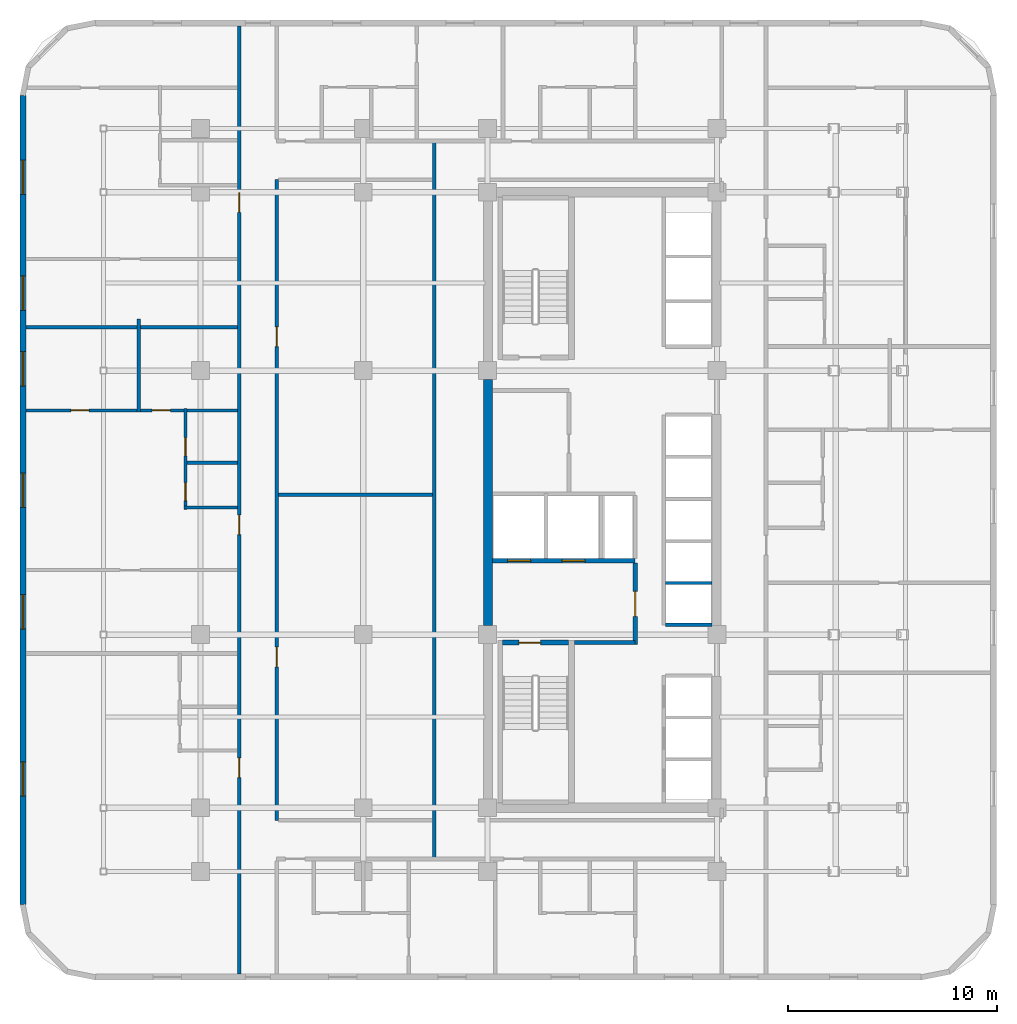
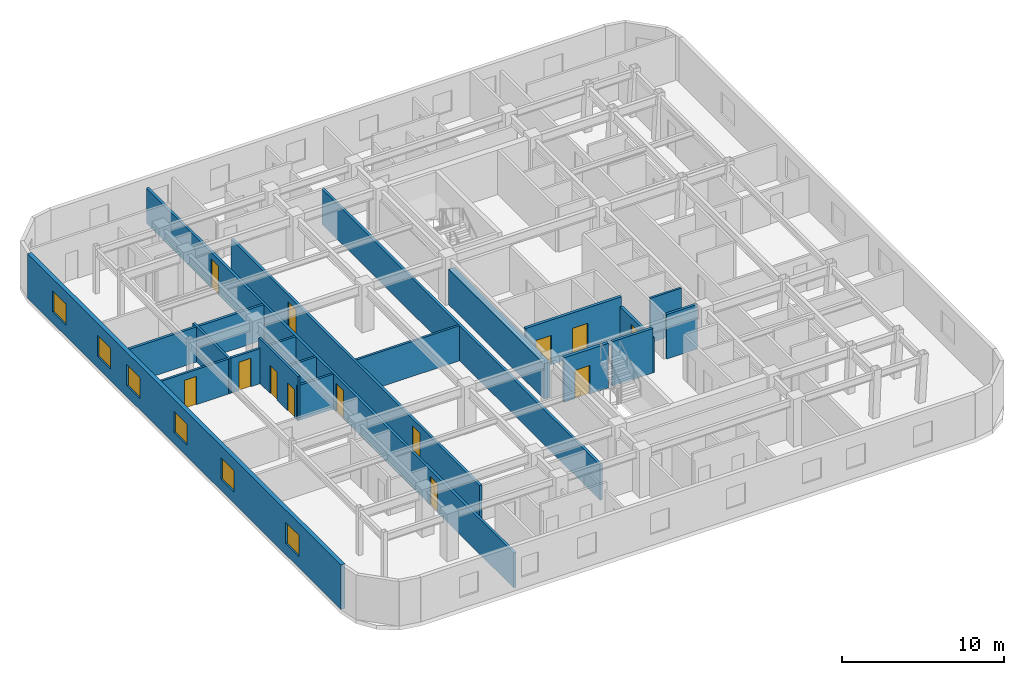
# One storey, part 7 of 12: 18 walls, 13 doors, 6 windows, 19 openings.
"""IFC4 building model written with IfcOpenShell, lengths in metres."""

from ifc_helpers import new_model, si_unit, direction, frame, frame_2d, origin, place, context, subcontext, project, spatial, rectangle, extrude, material, layer, layer_set, type_object, element, fill, save


model = new_model("IFC4")

# Units and contexts
model_context = context("Model", 3, precision=1e-05, world=origin(), true_north=direction((0.0, 1.0)))
body_context = subcontext(model_context, "Body", "Model", "MODEL_VIEW")
ifc_project = project(units=[si_unit("LENGTHUNIT", "METRE"), si_unit("AREAUNIT", "SQUARE_METRE"), si_unit("VOLUMEUNIT", "CUBIC_METRE"), si_unit("PLANEANGLEUNIT", "RADIAN"), si_unit("MASSUNIT", "GRAM", prefix="KILO")], contexts=[model_context])

# Site, building, storey
site_placement = place(None, origin())
site = spatial("IfcSite", under=ifc_project, at=site_placement, CompositionType="ELEMENT")
building_placement = place(site_placement, origin())
building = spatial("IfcBuilding", under=site, at=building_placement, Name="Ochreholt Gables", CompositionType="ELEMENT")
storey_placement = place(building_placement, frame((0.0, 0.0, 24.0)))
storey = spatial("IfcBuildingStorey", under=building, at=storey_placement, Name="L05", CompositionType="ELEMENT", Elevation=24.0)

# Wall
ifc_material_1 = material(Name="Concrete 60 MPa", Category="concrete")
ifc_layer_1 = layer(ifc_material_1, 0.449951171875, Name="Concrete 60 MPa")
ifc_layer_set_1 = layer_set([ifc_layer_1], Name="Concrete 60 MPa")
wall_type_1 = type_object("IfcWallType", Name="WALL-CSW-450", PredefinedType="SHEAR", material=ifc_layer_set_1)
wall_1_placement = place(storey_placement, frame((24.22509765625, 17.97509765625, 0.0), z_axis=(0.0, 0.0, 1.0), x_axis=(0.0, 1.0, 0.0)))
element("IfcWall", 1, at=wall_1_placement, inside=storey, type_object=wall_type_1, Name="L05 Core West Shear Wall WM", PredefinedType="SHEAR", context=body_context, shape_type="SweptSolid", body=[
    extrude(rectangle(XDim=11.7998046875, YDim=0.449951171875, at=frame_2d((5.89990234375, 0.0))), origin(), (0.0, 0.0, 1.0), 2.6669921875),
])

# Wall, openings, windows
ifc_material_2 = material(Name="Precast concrete 40 MPa", Category="concrete")
ifc_layer_2 = layer(ifc_material_2, 0.2900390625, Name="Precast concrete 40 MPa")
ifc_layer_set_2 = layer_set([ifc_layer_2], Name="Precast concrete 40 MPa")
wall_type_2 = type_object("IfcWallType", Name="WALL-EXT-290", PredefinedType="SOLIDWALL", material=ifc_layer_set_2)
wall_2_placement = place(storey_placement, frame((1.945068359375, 43.3798828125, 0.0), z_axis=(0.0, 0.0, 1.0), x_axis=(0.0, -1.0, 0.0)))
wall_2 = element("IfcWall", 2, at=wall_2_placement, inside=storey, type_object=wall_type_2, Name="L05 West Exterior Wall", PredefinedType="SOLIDWALL", context=body_context, shape_type="SweptSolid", body=[
    extrude(rectangle(XDim=38.759765625, YDim=0.2900390625, at=frame_2d((19.3798828125, 0.0))), origin(), (0.0, 0.0, 1.0), 3.360107421875),
])
opening_1_placement = place(wall_2_placement, frame((31.925048828125, 0.0, 0.85009765625)))
opening_1 = element("IfcOpeningElement", 3, at=opening_1_placement, cuts=wall_2, Name="Opening WN-7", PredefinedType="OPENING", context=body_context, shape_type="SweptSolid", body=[
    extrude(rectangle(XDim=1.64990234375, YDim=1.60009765625, at=frame_2d((0.824951171875, 0.800048828125))), frame((0.0, 0.155029296875, 0.0), z_axis=(0.0, -1.0, 0.0), x_axis=(1.0, 0.0, 0.0)), (0.0, 0.0, 1.0), 0.31005859375),
])
opening_2_placement = place(wall_2_placement, frame((23.913330078125, 0.0, 0.85009765625)))
opening_2 = element("IfcOpeningElement", 4, at=opening_2_placement, cuts=wall_2, Name="Opening WN-7", PredefinedType="OPENING", context=body_context, shape_type="SweptSolid", body=[
    extrude(rectangle(XDim=1.64990234375, YDim=1.60009765625, at=frame_2d((0.824951171875, 0.800048828125))), frame((0.0, 0.155029296875, 0.0), z_axis=(0.0, -1.0, 0.0), x_axis=(1.0, 0.0, 0.0)), (0.0, 0.0, 1.0), 0.31005859375),
])
opening_3_placement = place(wall_2_placement, frame((18.08837890625, 0.0, 0.85009765625)))
opening_3 = element("IfcOpeningElement", 5, at=opening_3_placement, cuts=wall_2, Name="Opening WN-7", PredefinedType="OPENING", context=body_context, shape_type="SweptSolid", body=[
    extrude(rectangle(XDim=1.64990234375, YDim=1.60009765625, at=frame_2d((0.824951171875, 0.800048828125))), frame((0.0, 0.155029296875, 0.0), z_axis=(0.0, -1.0, 0.0), x_axis=(1.0, 0.0, 0.0)), (0.0, 0.0, 1.0), 0.31005859375),
])
opening_4_placement = place(wall_2_placement, frame((12.27001953125, 0.0, 0.85009765625)))
opening_4 = element("IfcOpeningElement", 6, at=opening_4_placement, cuts=wall_2, Name="Opening WN-7", PredefinedType="OPENING", context=body_context, shape_type="SweptSolid", body=[
    extrude(rectangle(XDim=1.64990234375, YDim=1.60009765625, at=frame_2d((0.824951171875, 0.800048828125))), frame((0.0, 0.155029296875, 0.0), z_axis=(0.0, -1.0, 0.0), x_axis=(1.0, 0.0, 0.0)), (0.0, 0.0, 1.0), 0.31005859375),
])
opening_5_placement = place(wall_2_placement, frame((8.639892578125, 0.0, 0.85009765625)))
opening_5 = element("IfcOpeningElement", 7, at=opening_5_placement, cuts=wall_2, Name="Opening WN-7", PredefinedType="OPENING", context=body_context, shape_type="SweptSolid", body=[
    extrude(rectangle(XDim=1.64990234375, YDim=1.60009765625, at=frame_2d((0.824951171875, 0.800048828125))), frame((0.0, 0.155029296875, 0.0), z_axis=(0.0, -1.0, 0.0), x_axis=(1.0, 0.0, 0.0)), (0.0, 0.0, 1.0), 0.31005859375),
])
opening_6_placement = place(wall_2_placement, frame((3.090087890625, 0.0, 0.85009765625)))
opening_6 = element("IfcOpeningElement", 8, at=opening_6_placement, cuts=wall_2, Name="Opening WN-7", PredefinedType="OPENING", context=body_context, shape_type="SweptSolid", body=[
    extrude(rectangle(XDim=1.64990234375, YDim=1.60009765625, at=frame_2d((0.824951171875, 0.800048828125))), frame((0.0, 0.155029296875, 0.0), z_axis=(0.0, -1.0, 0.0), x_axis=(1.0, 0.0, 0.0)), (0.0, 0.0, 1.0), 0.31005859375),
])
ifc_material_3 = material(Name="Triple-Glazed Thermally Broken Aluminium Window", Category="aluminium")
window_type = type_object("IfcWindowType", Name="WIN-RES-1650", PartitioningType="SINGLE_PANEL", PredefinedType="WINDOW", material=ifc_material_3)
window_1_placement = place(opening_1_placement, origin())
window_1 = element("IfcWindow", 9, at=window_1_placement, inside=storey, type_object=window_type, Name="L05 Window W-EXT-W-L05-1", OverallHeight=1.60009765625, OverallWidth=1.64990234375, PartitioningType="SINGLE_PANEL", PredefinedType="WINDOW", context=body_context, shape_type="SweptSolid", body=[
    extrude(rectangle(XDim=1.64990234375, YDim=1.60009765625, at=frame_2d((0.824951171875, 0.800048828125))), frame((0.0, 0.030029296875, 0.0), z_axis=(0.0, -1.0, 0.0), x_axis=(1.0, 0.0, 0.0)), (0.0, 0.0, 1.0), 0.06005859375),
])
fill(opening_1, window_1)
window_2_placement = place(opening_2_placement, origin())
window_2 = element("IfcWindow", 10, at=window_2_placement, inside=storey, type_object=window_type, Name="L05 Window W-EXT-W-L05-2", OverallHeight=1.60009765625, OverallWidth=1.64990234375, PartitioningType="SINGLE_PANEL", PredefinedType="WINDOW", context=body_context, shape_type="SweptSolid", body=[
    extrude(rectangle(XDim=1.64990234375, YDim=1.60009765625, at=frame_2d((0.824951171875, 0.800048828125))), frame((0.0, 0.030029296875, 0.0), z_axis=(0.0, -1.0, 0.0), x_axis=(1.0, 0.0, 0.0)), (0.0, 0.0, 1.0), 0.06005859375),
])
fill(opening_2, window_2)
window_3_placement = place(opening_3_placement, origin())
window_3 = element("IfcWindow", 11, at=window_3_placement, inside=storey, type_object=window_type, Name="L05 Window W-EXT-W-L05-3", OverallHeight=1.60009765625, OverallWidth=1.64990234375, PartitioningType="SINGLE_PANEL", PredefinedType="WINDOW", context=body_context, shape_type="SweptSolid", body=[
    extrude(rectangle(XDim=1.64990234375, YDim=1.60009765625, at=frame_2d((0.824951171875, 0.800048828125))), frame((0.0, 0.030029296875, 0.0), z_axis=(0.0, -1.0, 0.0), x_axis=(1.0, 0.0, 0.0)), (0.0, 0.0, 1.0), 0.06005859375),
])
fill(opening_3, window_3)
window_4_placement = place(opening_4_placement, origin())
window_4 = element("IfcWindow", 12, at=window_4_placement, inside=storey, type_object=window_type, Name="L05 Window W-EXT-W-L05-4", OverallHeight=1.60009765625, OverallWidth=1.64990234375, PartitioningType="SINGLE_PANEL", PredefinedType="WINDOW", context=body_context, shape_type="SweptSolid", body=[
    extrude(rectangle(XDim=1.64990234375, YDim=1.60009765625, at=frame_2d((0.824951171875, 0.800048828125))), frame((0.0, 0.030029296875, 0.0), z_axis=(0.0, -1.0, 0.0), x_axis=(1.0, 0.0, 0.0)), (0.0, 0.0, 1.0), 0.06005859375),
])
fill(opening_4, window_4)
window_5_placement = place(opening_5_placement, origin())
window_5 = element("IfcWindow", 13, at=window_5_placement, inside=storey, type_object=window_type, Name="L05 Window W-EXT-W-L05-5", OverallHeight=1.60009765625, OverallWidth=1.64990234375, PartitioningType="SINGLE_PANEL", PredefinedType="WINDOW", context=body_context, shape_type="SweptSolid", body=[
    extrude(rectangle(XDim=1.64990234375, YDim=1.60009765625, at=frame_2d((0.824951171875, 0.800048828125))), frame((0.0, 0.030029296875, 0.0), z_axis=(0.0, -1.0, 0.0), x_axis=(1.0, 0.0, 0.0)), (0.0, 0.0, 1.0), 0.06005859375),
])
fill(opening_5, window_5)
window_6_placement = place(opening_6_placement, origin())
window_6 = element("IfcWindow", 14, at=window_6_placement, inside=storey, type_object=window_type, Name="L05 Window W-EXT-W-L05-6", OverallHeight=1.60009765625, OverallWidth=1.64990234375, PartitioningType="SINGLE_PANEL", PredefinedType="WINDOW", context=body_context, shape_type="SweptSolid", body=[
    extrude(rectangle(XDim=1.64990234375, YDim=1.60009765625, at=frame_2d((0.824951171875, 0.800048828125))), frame((0.0, 0.030029296875, 0.0), z_axis=(0.0, -1.0, 0.0), x_axis=(1.0, 0.0, 0.0)), (0.0, 0.0, 1.0), 0.06005859375),
])
fill(opening_6, window_6)

# Wall, openings, doors
ifc_material_4 = material(Name="Concrete 40 MPa", Category="concrete")
ifc_layer_3 = layer(ifc_material_4, 0.199951171875, Name="Concrete 40 MPa")
ifc_layer_set_3 = layer_set([ifc_layer_3], Name="Concrete 40 MPa")
wall_type_3 = type_object("IfcWallType", Name="WALL-INT-CF200", PredefinedType="STANDARD", material=ifc_layer_set_3)
wall_3_placement = place(storey_placement, frame((24.449951171875, 21.090087890625, 0.0), z_axis=(0.0, 0.0, 1.0), x_axis=(1.0, 0.0, 0.0)))
wall_3 = element("IfcWall", 15, at=wall_3_placement, inside=storey, type_object=wall_type_3, Name="L05 Interior Wall WI-FFN-L05", PredefinedType="STANDARD", context=body_context, shape_type="SweptSolid", body=[
    extrude(rectangle(XDim=6.830078125, YDim=0.199951171875, at=frame_2d((3.4150390625, 0.0))), origin(), (0.0, 0.0, 1.0), 3.360107421875),
])
opening_7_placement = place(wall_3_placement, frame((0.719970703125, 0.0, 0.0)))
opening_7 = element("IfcOpeningElement", 16, at=opening_7_placement, cuts=wall_3, Name="Opening LD-FF", PredefinedType="OPENING", context=body_context, shape_type="SweptSolid", body=[
    extrude(rectangle(XDim=1.10009765625, YDim=2.199951171875, at=frame_2d((0.550048828125, 1.10009765625))), frame((0.0, 0.10986328125, 0.0), z_axis=(0.0, -1.0, 0.0), x_axis=(1.0, 0.0, 0.0)), (0.0, 0.0, 1.0), 0.219970703125),
])
opening_8_placement = place(wall_3_placement, frame((3.320068359375, 0.0, 0.0)))
opening_8 = element("IfcOpeningElement", 17, at=opening_8_placement, cuts=wall_3, Name="Opening LD-FF", PredefinedType="OPENING", context=body_context, shape_type="SweptSolid", body=[
    extrude(rectangle(XDim=1.10009765625, YDim=2.199951171875, at=frame_2d((0.550048828125, 1.10009765625))), frame((0.0, 0.10986328125, 0.0), z_axis=(0.0, -1.0, 0.0), x_axis=(1.0, 0.0, 0.0)), (0.0, 0.0, 1.0), 0.219970703125),
])
ifc_material_5 = material(Name="Stainless Steel", Category="steel")
door_type_1 = type_object("IfcDoorType", Name="DR-LFT-FF1100", OperationType="NOTDEFINED", PredefinedType="DOOR", material=ifc_material_5)
door_1_placement = place(opening_7_placement, origin())
door_1 = element("IfcDoor", 18, at=door_1_placement, inside=storey, type_object=door_type_1, Name="L05 Door LD-FF1-L05", OperationType="SLIDING_TO_LEFT", OverallHeight=2.199951171875, OverallWidth=1.10009765625, PredefinedType="DOOR", context=body_context, shape_type="SweptSolid", body=[
    extrude(rectangle(XDim=1.10009765625, YDim=2.199951171875, at=frame_2d((0.550048828125, 1.10009765625))), frame((0.0, 0.02490234375, 0.0), z_axis=(0.0, -1.0, 0.0), x_axis=(1.0, 0.0, 0.0)), (0.0, 0.0, 1.0), 0.050048828125),
])
fill(opening_7, door_1)
door_2_placement = place(opening_8_placement, origin())
door_2 = element("IfcDoor", 19, at=door_2_placement, inside=storey, type_object=door_type_1, Name="L05 Door LD-FF2-L05", OperationType="SLIDING_TO_LEFT", OverallHeight=2.199951171875, OverallWidth=1.10009765625, PredefinedType="DOOR", context=body_context, shape_type="SweptSolid", body=[
    extrude(rectangle(XDim=1.10009765625, YDim=2.199951171875, at=frame_2d((0.550048828125, 1.10009765625))), frame((0.0, 0.02490234375, 0.0), z_axis=(0.0, -1.0, 0.0), x_axis=(1.0, 0.0, 0.0)), (0.0, 0.0, 1.0), 0.050048828125),
])
fill(opening_8, door_2)

# Wall
wall_4_placement = place(storey_placement, frame((28.3798828125, 17.169921875, 0.0), z_axis=(0.0, 0.0, 1.0), x_axis=(1.0, 0.0, 0.0)))
element("IfcWall", 20, at=wall_4_placement, inside=storey, type_object=wall_type_3, Name="L05 Interior Wall WI-FFS-L05", PredefinedType="STANDARD", context=body_context, shape_type="SweptSolid", body=[
    extrude(rectangle(XDim=2.900146484375, YDim=0.199951171875, at=frame_2d((1.4501953125, 0.0))), origin(), (0.0, 0.0, 1.0), 3.360107421875),
])

# Wall, opening, door
wall_5_placement = place(storey_placement, frame((31.280029296875, 17.070068359375, 0.0), z_axis=(0.0, 0.0, 1.0), x_axis=(0.0, 1.0, 0.0)))
wall_5 = element("IfcWall", 21, at=wall_5_placement, inside=storey, type_object=wall_type_3, Name="L05 Interior Wall WI-FFE-L05", PredefinedType="STANDARD", context=body_context, shape_type="SweptSolid", body=[
    extrude(rectangle(XDim=3.919921875, YDim=0.199951171875, at=frame_2d((1.9599609375, 0.0))), origin(), (0.0, 0.0, 1.0), 2.64892578125),
])
opening_9_placement = place(wall_5_placement, frame((1.35009765625, 0.0, 0.0)))
opening_9 = element("IfcOpeningElement", 22, at=opening_9_placement, cuts=wall_5, Name="Opening D-FFL", PredefinedType="OPENING", context=body_context, shape_type="SweptSolid", body=[
    extrude(rectangle(XDim=1.199951171875, YDim=2.14990234375, at=frame_2d((0.60009765625, 1.074951171875))), frame((0.0, 0.10986328125, 0.0), z_axis=(0.0, -1.0, 0.0), x_axis=(1.0, 0.0, 0.0)), (0.0, 0.0, 1.0), 0.219970703125),
])
ifc_material_6 = material(Name="Hollow Metal Steel", Category="steel")
door_type_2 = type_object("IfcDoorType", Name="DR-INT-FFL1200", OperationType="NOTDEFINED", PredefinedType="DOOR", material=ifc_material_6)
door_3_placement = place(opening_9_placement, origin())
door_3 = element("IfcDoor", 23, at=door_3_placement, inside=storey, type_object=door_type_2, Name="L05 Door D-FFL-L05", OperationType="SINGLE_SWING_LEFT", OverallHeight=2.14990234375, OverallWidth=1.199951171875, PredefinedType="DOOR", context=body_context, shape_type="SweptSolid", body=[
    extrude(rectangle(XDim=1.199951171875, YDim=2.14990234375, at=frame_2d((0.60009765625, 1.074951171875))), frame((0.0, 0.02490234375, 0.0), z_axis=(0.0, -1.0, 0.0), x_axis=(1.0, 0.0, 0.0)), (0.0, 0.0, 1.0), 0.050048828125),
])
fill(opening_9, door_3)

# Wall
ifc_material_7 = material(Name="Fire-Rated Gypsum Acoustic Partition", Category="gypsum")
ifc_layer_4 = layer(ifc_material_7, 0.179931640625, Name="Fire-Rated Gypsum Acoustic Partition")
ifc_layer_set_4 = layer_set([ifc_layer_4], Name="Fire-Rated Gypsum Acoustic Partition")
wall_type_4 = type_object("IfcWallType", Name="WALL-INT-CR180", PredefinedType="STANDARD", material=ifc_layer_set_4)
wall_6_placement = place(storey_placement, frame((21.64990234375, 6.800048828125, 0.0), z_axis=(0.0, 0.0, 1.0), x_axis=(0.0, 1.0, 0.0)))
element("IfcWall", 24, at=wall_6_placement, inside=storey, type_object=wall_type_4, Name="L05 Interior Wall WI-C1W-L05", PredefinedType="STANDARD", context=body_context, shape_type="SweptSolid", body=[
    extrude(rectangle(XDim=34.39990234375, YDim=0.179931640625, at=frame_2d((17.199951171875, 0.0))), origin(), (0.0, 0.0, 1.0), 2.64892578125),
])

# Wall, openings, doors
wall_7_placement = place(storey_placement, frame((12.300048828125, 1.2900390625, 0.0), z_axis=(0.0, 0.0, 1.0), x_axis=(0.0, 1.0, 0.0)))
wall_7 = element("IfcWall", 25, at=wall_7_placement, inside=storey, type_object=wall_type_4, Name="L05 Interior Wall WI-C1WW-L05", PredefinedType="STANDARD", context=body_context, shape_type="SweptSolid", body=[
    extrude(rectangle(XDim=45.419921875, YDim=0.179931640625, at=frame_2d((22.7099609375, 0.0))), origin(), (0.0, 0.0, 1.0), 2.64892578125),
])
opening_10_placement = place(wall_7_placement, frame((9.409912109375, 0.0, 0.0)))
opening_10 = element("IfcOpeningElement", 26, at=opening_10_placement, cuts=wall_7, Name="Opening D-UN2", PredefinedType="OPENING", context=body_context, shape_type="SweptSolid", body=[
    extrude(rectangle(XDim=0.93994140625, YDim=2.14990234375, at=frame_2d((0.469970703125, 1.074951171875))), frame((0.0, 0.099853515625, 0.0), z_axis=(0.0, -1.0, 0.0), x_axis=(1.0, 0.0, 0.0)), (0.0, 0.0, 1.0), 0.199951171875),
])
opening_11_placement = place(wall_7_placement, frame((21.050048828125, 0.0, 0.0)))
opening_11 = element("IfcOpeningElement", 27, at=opening_11_placement, cuts=wall_7, Name="Opening D-UN2", PredefinedType="OPENING", context=body_context, shape_type="SweptSolid", body=[
    extrude(rectangle(XDim=0.93994140625, YDim=2.14990234375, at=frame_2d((0.469970703125, 1.074951171875))), frame((0.0, 0.099853515625, 0.0), z_axis=(0.0, -1.0, 0.0), x_axis=(1.0, 0.0, 0.0)), (0.0, 0.0, 1.0), 0.199951171875),
])
opening_12_placement = place(wall_7_placement, frame((36.491455078125, 0.0, 0.0)))
opening_12 = element("IfcOpeningElement", 28, at=opening_12_placement, cuts=wall_7, Name="Opening D-UN2", PredefinedType="OPENING", context=body_context, shape_type="SweptSolid", body=[
    extrude(rectangle(XDim=0.93994140625, YDim=2.14990234375, at=frame_2d((0.469970703125, 1.074951171875))), frame((0.0, 0.099853515625, 0.0), z_axis=(0.0, -1.0, 0.0), x_axis=(1.0, 0.0, 0.0)), (0.0, 0.0, 1.0), 0.199951171875),
])
ifc_material_8 = material(Name="Engineered Oak Timber", Category="wood")
door_type_3 = type_object("IfcDoorType", Name="DR-INT-UNT940", OperationType="NOTDEFINED", PredefinedType="DOOR", material=ifc_material_8)
door_4_placement = place(opening_10_placement, origin())
door_4 = element("IfcDoor", 29, at=door_4_placement, inside=storey, type_object=door_type_3, Name="L05 Door D-U-L05W1-ENT", OperationType="SINGLE_SWING_LEFT", OverallHeight=2.14990234375, OverallWidth=0.93994140625, PredefinedType="DOOR", context=body_context, shape_type="SweptSolid", body=[
    extrude(rectangle(XDim=0.93994140625, YDim=2.14990234375, at=frame_2d((0.469970703125, 1.074951171875))), frame((0.0, 0.02490234375, 0.0), z_axis=(0.0, -1.0, 0.0), x_axis=(1.0, 0.0, 0.0)), (0.0, 0.0, 1.0), 0.050048828125),
])
fill(opening_10, door_4)
door_5_placement = place(opening_11_placement, origin())
door_5 = element("IfcDoor", 30, at=door_5_placement, inside=storey, type_object=door_type_3, Name="L05 Door D-U-L05W2-ENT", OperationType="SINGLE_SWING_RIGHT", OverallHeight=2.14990234375, OverallWidth=0.93994140625, PredefinedType="DOOR", context=body_context, shape_type="SweptSolid", body=[
    extrude(rectangle(XDim=0.93994140625, YDim=2.14990234375, at=frame_2d((0.469970703125, 1.074951171875))), frame((0.0, 0.02490234375, 0.0), z_axis=(0.0, -1.0, 0.0), x_axis=(1.0, 0.0, 0.0)), (0.0, 0.0, 1.0), 0.050048828125),
])
fill(opening_11, door_5)
door_6_placement = place(opening_12_placement, origin())
door_6 = element("IfcDoor", 31, at=door_6_placement, inside=storey, type_object=door_type_3, Name="L05 Door D-U-L05W3-ENT", OperationType="SINGLE_SWING_LEFT", OverallHeight=2.14990234375, OverallWidth=0.93994140625, PredefinedType="DOOR", context=body_context, shape_type="SweptSolid", body=[
    extrude(rectangle(XDim=0.93994140625, YDim=2.14990234375, at=frame_2d((0.469970703125, 1.074951171875))), frame((0.0, 0.02490234375, 0.0), z_axis=(0.0, -1.0, 0.0), x_axis=(1.0, 0.0, 0.0)), (0.0, 0.0, 1.0), 0.050048828125),
])
fill(opening_12, door_6)

wall_8_placement = place(storey_placement, frame((14.10009765625, 8.64990234375, 0.0), z_axis=(0.0, 0.0, 1.0), x_axis=(0.0, 1.0, 0.0)))
wall_8 = element("IfcWall", 32, at=wall_8_placement, inside=storey, type_object=wall_type_4, Name="L05 Interior Wall WI-C1WE-L05", PredefinedType="STANDARD", context=body_context, shape_type="SweptSolid", body=[
    extrude(rectangle(XDim=30.7001953125, YDim=0.179931640625, at=frame_2d((15.35009765625, 0.0))), origin(), (0.0, 0.0, 1.0), 2.64892578125),
])
opening_13_placement = place(wall_8_placement, frame((7.35009765625, 0.0, 0.0)))
opening_13 = element("IfcOpeningElement", 33, at=opening_13_placement, cuts=wall_8, Name="Opening D-GN1", PredefinedType="OPENING", context=body_context, shape_type="SweptSolid", body=[
    extrude(rectangle(XDim=0.949951171875, YDim=2.14990234375, at=frame_2d((0.47509765625, 1.074951171875))), frame((0.0, 0.099853515625, 0.0), z_axis=(0.0, -1.0, 0.0), x_axis=(1.0, 0.0, 0.0)), (0.0, 0.0, 1.0), 0.199951171875),
])
opening_14_placement = place(wall_8_placement, frame((22.699951171875, 0.0, 0.0)))
opening_14 = element("IfcOpeningElement", 34, at=opening_14_placement, cuts=wall_8, Name="Opening D-GN1", PredefinedType="OPENING", context=body_context, shape_type="SweptSolid", body=[
    extrude(rectangle(XDim=0.949951171875, YDim=2.14990234375, at=frame_2d((0.47509765625, 1.074951171875))), frame((0.0, 0.099853515625, 0.0), z_axis=(0.0, -1.0, 0.0), x_axis=(1.0, 0.0, 0.0)), (0.0, 0.0, 1.0), 0.199951171875),
])
door_type_4 = type_object("IfcDoorType", Name="DR-INT-GEN950", OperationType="NOTDEFINED", PredefinedType="DOOR", material=ifc_material_8)
door_7_placement = place(opening_13_placement, origin())
door_7 = element("IfcDoor", 35, at=door_7_placement, inside=storey, type_object=door_type_4, Name="L05 Door D-C1IW1-L05", OperationType="SINGLE_SWING_LEFT", OverallHeight=2.14990234375, OverallWidth=0.949951171875, PredefinedType="DOOR", context=body_context, shape_type="SweptSolid", body=[
    extrude(rectangle(XDim=0.949951171875, YDim=2.14990234375, at=frame_2d((0.47509765625, 1.074951171875))), frame((0.0, 0.02490234375, 0.0), z_axis=(0.0, -1.0, 0.0), x_axis=(1.0, 0.0, 0.0)), (0.0, 0.0, 1.0), 0.050048828125),
])
fill(opening_13, door_7)
door_8_placement = place(opening_14_placement, origin())
door_8 = element("IfcDoor", 36, at=door_8_placement, inside=storey, type_object=door_type_4, Name="L05 Door D-C1IW2-L05", OperationType="SINGLE_SWING_RIGHT", OverallHeight=2.14990234375, OverallWidth=0.949951171875, PredefinedType="DOOR", context=body_context, shape_type="SweptSolid", body=[
    extrude(rectangle(XDim=0.949951171875, YDim=2.14990234375, at=frame_2d((0.47509765625, 1.074951171875))), frame((0.0, 0.02490234375, 0.0), z_axis=(0.0, -1.0, 0.0), x_axis=(1.0, 0.0, 0.0)), (0.0, 0.0, 1.0), 0.050048828125),
])
fill(opening_14, door_8)

# Walls
ifc_material_9 = material(Name="Double-Stud Acoustic Demising Wall", Category="gypsum")
ifc_layer_5 = layer(ifc_material_9, 0.179931640625, Name="Double-Stud Acoustic Demising Wall")
ifc_layer_set_5 = layer_set([ifc_layer_5], Name="Double-Stud Acoustic Demising Wall")
wall_type_5 = type_object("IfcWallType", Name="WALL-INT-DM180", PredefinedType="PARTITIONING", material=ifc_layer_set_5)
wall_9_placement = place(storey_placement, frame((2.090087890625, 32.280029296875, 0.0), z_axis=(0.0, 0.0, 1.0), x_axis=(1.0, 0.0, 0.0)))
element("IfcWall", 37, at=wall_9_placement, inside=storey, type_object=wall_type_5, Name="L05 Interior Wall WI-UDW3-L05", PredefinedType="PARTITIONING", context=body_context, shape_type="SweptSolid", body=[
    extrude(rectangle(XDim=10.119873046875, YDim=0.179931640625, at=frame_2d((5.06005859375, 0.0))), origin(), (0.0, 0.0, 1.0), 2.64892578125),
])
ifc_material_10 = material(Name="Moisture-Resistant Plumbing Chase Wall", Category="gypsum")
ifc_layer_6 = layer(ifc_material_10, 0.159912109375, Name="Moisture-Resistant Plumbing Chase Wall")
ifc_layer_set_6 = layer_set([ifc_layer_6], Name="Moisture-Resistant Plumbing Chase Wall")
wall_type_6 = type_object("IfcWallType", Name="WALL-INT-PL160", PredefinedType="PLUMBINGWALL", material=ifc_layer_set_6)
wall_10_placement = place(storey_placement, frame((9.64990234375, 23.639892578125, 0.0), z_axis=(0.0, 0.0, 1.0), x_axis=(1.0, 0.0, 0.0)))
element("IfcWall", 38, at=wall_10_placement, inside=storey, type_object=wall_type_6, Name="L05 Interior Wall WU-L05W2-FYS", PredefinedType="PLUMBINGWALL", context=body_context, shape_type="SweptSolid", body=[
    extrude(rectangle(XDim=2.56005859375, YDim=0.159912109375, at=frame_2d((1.280029296875, 0.0))), origin(), (0.0, 0.0, 1.0), 2.64892578125),
])

# Wall, openings, doors
wall_11_placement = place(storey_placement, frame((9.72998046875, 23.550048828125, 0.0), z_axis=(0.0, 0.0, 1.0), x_axis=(0.0, 1.0, 0.0)))
wall_11 = element("IfcWall", 39, at=wall_11_placement, inside=storey, type_object=wall_type_6, Name="L05 Interior Wall WU-L05W2-WX", PredefinedType="PLUMBINGWALL", context=body_context, shape_type="SweptSolid", body=[
    extrude(rectangle(XDim=4.829833984375, YDim=0.159912109375, at=frame_2d((2.4150390625, 0.0))), origin(), (0.0, 0.0, 1.0), 3.360107421875),
])
opening_15_placement = place(wall_11_placement, frame((0.419921875, 0.0, 0.0)))
opening_15 = element("IfcOpeningElement", 40, at=opening_15_placement, cuts=wall_11, Name="Opening D-BT1", PredefinedType="OPENING", context=body_context, shape_type="SweptSolid", body=[
    extrude(rectangle(XDim=0.860107421875, YDim=2.1201171875, at=frame_2d((0.43017578125, 1.06005859375))), frame((0.0, 0.08984375, 0.0), z_axis=(0.0, -1.0, 0.0), x_axis=(1.0, 0.0, 0.0)), (0.0, 0.0, 1.0), 0.179931640625),
])
opening_16_placement = place(wall_11_placement, frame((2.55908203125, 0.0, 0.0)))
opening_16 = element("IfcOpeningElement", 41, at=opening_16_placement, cuts=wall_11, Name="Opening D-GN2", PredefinedType="OPENING", context=body_context, shape_type="SweptSolid", body=[
    extrude(rectangle(XDim=0.8798828125, YDim=2.1201171875, at=frame_2d((0.43994140625, 1.06005859375))), frame((0.0, 0.08984375, 0.0), z_axis=(0.0, -1.0, 0.0), x_axis=(1.0, 0.0, 0.0)), (0.0, 0.0, 1.0), 0.179931640625),
])
door_type_5 = type_object("IfcDoorType", Name="DR-INT-BTH860", OperationType="NOTDEFINED", PredefinedType="DOOR", material=ifc_material_8)
door_9_placement = place(opening_15_placement, origin())
door_9 = element("IfcDoor", 42, at=door_9_placement, inside=storey, type_object=door_type_5, Name="L05 Door D-U-L05W2-BTH", OperationType="SINGLE_SWING_LEFT", OverallHeight=2.1201171875, OverallWidth=0.860107421875, PredefinedType="DOOR", context=body_context, shape_type="SweptSolid", body=[
    extrude(rectangle(XDim=0.860107421875, YDim=2.1201171875, at=frame_2d((0.43017578125, 1.06005859375))), frame((0.0, 0.02490234375, 0.0), z_axis=(0.0, -1.0, 0.0), x_axis=(1.0, 0.0, 0.0)), (0.0, 0.0, 1.0), 0.050048828125),
])
fill(opening_15, door_9)
door_type_6 = type_object("IfcDoorType", Name="DR-INT-GEN880", OperationType="NOTDEFINED", PredefinedType="DOOR", material=ifc_material_8)
door_10_placement = place(opening_16_placement, origin())
door_10 = element("IfcDoor", 43, at=door_10_placement, inside=storey, type_object=door_type_6, Name="L05 Door D-U-L05W2-KIT", OperationType="SINGLE_SWING_RIGHT", OverallHeight=2.1201171875, OverallWidth=0.8798828125, PredefinedType="DOOR", context=body_context, shape_type="SweptSolid", body=[
    extrude(rectangle(XDim=0.8798828125, YDim=2.1201171875, at=frame_2d((0.43994140625, 1.06005859375))), frame((0.0, 0.02490234375, 0.0), z_axis=(0.0, -1.0, 0.0), x_axis=(1.0, 0.0, 0.0)), (0.0, 0.0, 1.0), 0.050048828125),
])
fill(opening_16, door_10)

# Wall
wall_12_placement = place(storey_placement, frame((9.81005859375, 25.779052734375, 0.0), z_axis=(0.0, 0.0, 1.0), x_axis=(1.0, 0.0, 0.0)))
element("IfcWall", 44, at=wall_12_placement, inside=storey, type_object=wall_type_6, Name="L05 Interior Wall WU-L05W2-WK", PredefinedType="PLUMBINGWALL", context=body_context, shape_type="SweptSolid", body=[
    extrude(rectangle(XDim=2.39990234375, YDim=0.159912109375, at=frame_2d((1.199951171875, 0.0))), origin(), (0.0, 0.0, 1.0), 2.64892578125),
])

# Wall, openings, doors
ifc_material_11 = material(Name="Gypsum Acoustic Stud Partition", Category="gypsum")
ifc_layer_7 = layer(ifc_material_11, 0.159912109375, Name="Gypsum Acoustic Stud Partition")
ifc_layer_set_7 = layer_set([ifc_layer_7], Name="Gypsum Acoustic Stud Partition")
wall_type_7 = type_object("IfcWallType", Name="WALL-INT-PT160", PredefinedType="PARTITIONING", material=ifc_layer_set_7)
wall_13_placement = place(storey_placement, frame((2.090087890625, 28.2900390625, 0.0), z_axis=(0.0, 0.0, 1.0), x_axis=(1.0, 0.0, 0.0)))
wall_13 = element("IfcWall", 45, at=wall_13_placement, inside=storey, type_object=wall_type_7, Name="L05 Interior Wall WU-L05W2-MN", PredefinedType="PARTITIONING", context=body_context, shape_type="SweptSolid", body=[
    extrude(rectangle(XDim=10.119873046875, YDim=0.159912109375, at=frame_2d((5.06005859375, 0.0))), origin(), (0.0, 0.0, 1.0), 2.64892578125),
])
opening_17_placement = place(wall_13_placement, frame((2.145263671875, 0.0, 0.0)))
opening_17 = element("IfcOpeningElement", 46, at=opening_17_placement, cuts=wall_13, Name="Opening D-BD2", PredefinedType="OPENING", context=body_context, shape_type="SweptSolid", body=[
    extrude(rectangle(XDim=0.8798828125, YDim=2.139892578125, at=frame_2d((0.43994140625, 1.06982421875))), frame((0.0, 0.08984375, 0.0), z_axis=(0.0, -1.0, 0.0), x_axis=(1.0, 0.0, 0.0)), (0.0, 0.0, 1.0), 0.179931640625),
])
opening_18_placement = place(wall_13_placement, frame((6.03515625, 0.0, 0.0)))
opening_18 = element("IfcOpeningElement", 47, at=opening_18_placement, cuts=wall_13, Name="Opening D-BD2", PredefinedType="OPENING", context=body_context, shape_type="SweptSolid", body=[
    extrude(rectangle(XDim=0.8798828125, YDim=2.139892578125, at=frame_2d((0.43994140625, 1.06982421875))), frame((0.0, 0.08984375, 0.0), z_axis=(0.0, -1.0, 0.0), x_axis=(1.0, 0.0, 0.0)), (0.0, 0.0, 1.0), 0.179931640625),
])
door_type_7 = type_object("IfcDoorType", Name="DR-INT-BED880", OperationType="NOTDEFINED", PredefinedType="DOOR", material=ifc_material_8)
door_11_placement = place(opening_17_placement, origin())
door_11 = element("IfcDoor", 48, at=door_11_placement, inside=storey, type_object=door_type_7, Name="L05 Door D-U-L05W2-BD1", OperationType="SINGLE_SWING_RIGHT", OverallHeight=2.139892578125, OverallWidth=0.8798828125, PredefinedType="DOOR", context=body_context, shape_type="SweptSolid", body=[
    extrude(rectangle(XDim=0.8798828125, YDim=2.139892578125, at=frame_2d((0.43994140625, 1.06982421875))), frame((0.0, 0.02490234375, 0.0), z_axis=(0.0, -1.0, 0.0), x_axis=(1.0, 0.0, 0.0)), (0.0, 0.0, 1.0), 0.050048828125),
])
fill(opening_17, door_11)
door_12_placement = place(opening_18_placement, origin())
door_12 = element("IfcDoor", 49, at=door_12_placement, inside=storey, type_object=door_type_7, Name="L05 Door D-U-L05W2-BD2", OperationType="SINGLE_SWING_LEFT", OverallHeight=2.139892578125, OverallWidth=0.8798828125, PredefinedType="DOOR", context=body_context, shape_type="SweptSolid", body=[
    extrude(rectangle(XDim=0.8798828125, YDim=2.139892578125, at=frame_2d((0.43994140625, 1.06982421875))), frame((0.0, 0.02490234375, 0.0), z_axis=(0.0, -1.0, 0.0), x_axis=(1.0, 0.0, 0.0)), (0.0, 0.0, 1.0), 0.050048828125),
])
fill(opening_18, door_12)

# Walls
wall_14_placement = place(storey_placement, frame((7.490478515625, 28.2099609375, 0.0), z_axis=(0.0, 0.0, 1.0), x_axis=(0.0, 1.0, 0.0)))
element("IfcWall", 50, at=wall_14_placement, inside=storey, type_object=wall_type_7, Name="L05 Interior Wall WU-L05W2-BSD", PredefinedType="PARTITIONING", context=body_context, shape_type="SweptSolid", body=[
    extrude(rectangle(XDim=4.4599609375, YDim=0.159912109375, at=frame_2d((2.22998046875, 0.0))), origin(), (0.0, 0.0, 1.0), 2.64892578125),
])
wall_15_placement = place(storey_placement, frame((14.18994140625, 24.25, 0.0), z_axis=(0.0, 0.0, 1.0), x_axis=(1.0, 0.0, 0.0)))
element("IfcWall", 51, at=wall_15_placement, inside=storey, type_object=wall_type_7, Name="L05 Interior Wall WI-UDWI1-L05", PredefinedType="PARTITIONING", context=body_context, shape_type="SweptSolid", body=[
    extrude(rectangle(XDim=7.3701171875, YDim=0.159912109375, at=frame_2d((3.68505859375, 0.0))), origin(), (0.0, 0.0, 1.0), 2.64892578125),
])
ifc_material_12 = material(Name="Gypsum Shaftliner and Steel Stud", Category="steel")
ifc_layer_8 = layer(ifc_material_12, 0.14990234375, Name="Gypsum Shaftliner and Steel Stud")
ifc_layer_set_8 = layer_set([ifc_layer_8], Name="Gypsum Shaftliner and Steel Stud")
wall_type_8 = type_object("IfcWallType", Name="WALL-INT-SH150", PredefinedType="STANDARD", material=ifc_layer_set_8)
wall_16_placement = place(storey_placement, frame((32.739990234375, 20.02001953125, 0.0), z_axis=(0.0, 0.0, 1.0), x_axis=(1.0, 0.0, 0.0)))
element("IfcWall", 52, at=wall_16_placement, inside=storey, type_object=wall_type_8, Name="L05 Interior Wall WI-LFHE-DH1-L05", PredefinedType="STANDARD", context=body_context, shape_type="SweptSolid", body=[
    extrude(rectangle(XDim=2.2099609375, YDim=0.14990234375, at=frame_2d((1.10498046875, 0.0))), origin(), (0.0, 0.0, 1.0), 3.360107421875),
])
ifc_layer_9 = layer(ifc_material_12, 0.179931640625, Name="Gypsum Shaftliner and Steel Stud")
ifc_layer_set_9 = layer_set([ifc_layer_9], Name="Gypsum Shaftliner and Steel Stud")
wall_type_9 = type_object("IfcWallType", Name="WALL-INT-SH180", PredefinedType="STANDARD", material=ifc_layer_set_9)
wall_17_placement = place(storey_placement, frame((32.739990234375, 18.02001953125, 0.0), z_axis=(0.0, 0.0, 1.0), x_axis=(1.0, 0.0, 0.0)))
element("IfcWall", 53, at=wall_17_placement, inside=storey, type_object=wall_type_9, Name="L05 Interior Wall WI-LFHE-S-L05", PredefinedType="STANDARD", context=body_context, shape_type="SweptSolid", body=[
    extrude(rectangle(XDim=2.2099609375, YDim=0.179931640625, at=frame_2d((1.10498046875, 0.0))), origin(), (0.0, 0.0, 1.0), 3.360107421875),
])

# Wall, opening, door
ifc_material_13 = material(Name="Concrete 50 MPa", Category="concrete")
ifc_layer_10 = layer(ifc_material_13, 0.219970703125, Name="Concrete 50 MPa")
ifc_layer_set_10 = layer_set([ifc_layer_10], Name="Concrete 50 MPa")
wall_type_10 = type_object("IfcWallType", Name="WALL-STW-220", PredefinedType="SHEAR", material=ifc_layer_set_10)
wall_18_placement = place(storey_placement, frame((24.919921875, 17.169921875, 0.0), z_axis=(0.0, 0.0, 1.0), x_axis=(1.0, 0.0, 0.0)))
wall_18 = element("IfcWall", 54, at=wall_18_placement, inside=storey, type_object=wall_type_10, Name="L05 Exit Stair 1 North Wall", PredefinedType="SHEAR", context=body_context, shape_type="SweptSolid", body=[
    extrude(rectangle(XDim=3.16015625, YDim=0.219970703125, at=frame_2d((1.580078125, 0.0))), origin(), (0.0, 0.0, 1.0), 3.360107421875),
])
opening_19_placement = place(wall_18_placement, frame((0.780029296875, 0.0, 0.0)))
opening_19 = element("IfcOpeningElement", 55, at=opening_19_placement, cuts=wall_18, Name="Opening D-STC", PredefinedType="OPENING", context=body_context, shape_type="SweptSolid", body=[
    extrude(rectangle(XDim=1.050048828125, YDim=2.14990234375, at=frame_2d((0.52490234375, 1.074951171875))), frame((0.0, 0.119873046875, 0.0), z_axis=(0.0, -1.0, 0.0), x_axis=(1.0, 0.0, 0.0)), (0.0, 0.0, 1.0), 0.239990234375),
])
door_type_8 = type_object("IfcDoorType", Name="DR-INT-ST1050", OperationType="NOTDEFINED", PredefinedType="DOOR", material=ifc_material_6)
door_13_placement = place(opening_19_placement, frame((1.050048828125, 0.0, 0.0), z_axis=(0.0, 0.0, 1.0), x_axis=(-1.0, 0.0, 0.0)))
door_13 = element("IfcDoor", 56, at=door_13_placement, inside=storey, type_object=door_type_8, Name="L05 Door D-ST1-L05", OperationType="SINGLE_SWING_LEFT", OverallHeight=2.14990234375, OverallWidth=1.050048828125, PredefinedType="DOOR", context=body_context, shape_type="SweptSolid", body=[
    extrude(rectangle(XDim=1.050048828125, YDim=2.14990234375, at=frame_2d((0.52490234375, 1.074951171875))), frame((0.0, 0.02490234375, 0.0), z_axis=(0.0, -1.0, 0.0), x_axis=(1.0, 0.0, 0.0)), (0.0, 0.0, 1.0), 0.050048828125),
])
fill(opening_19, door_13)

save(model, "model.ifc")
